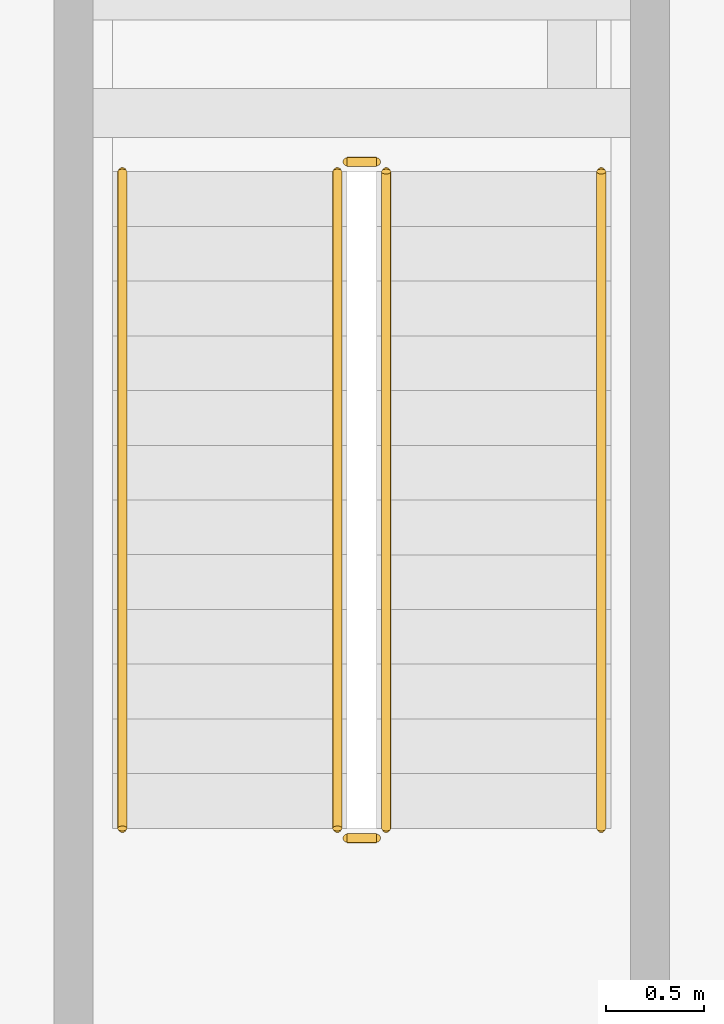
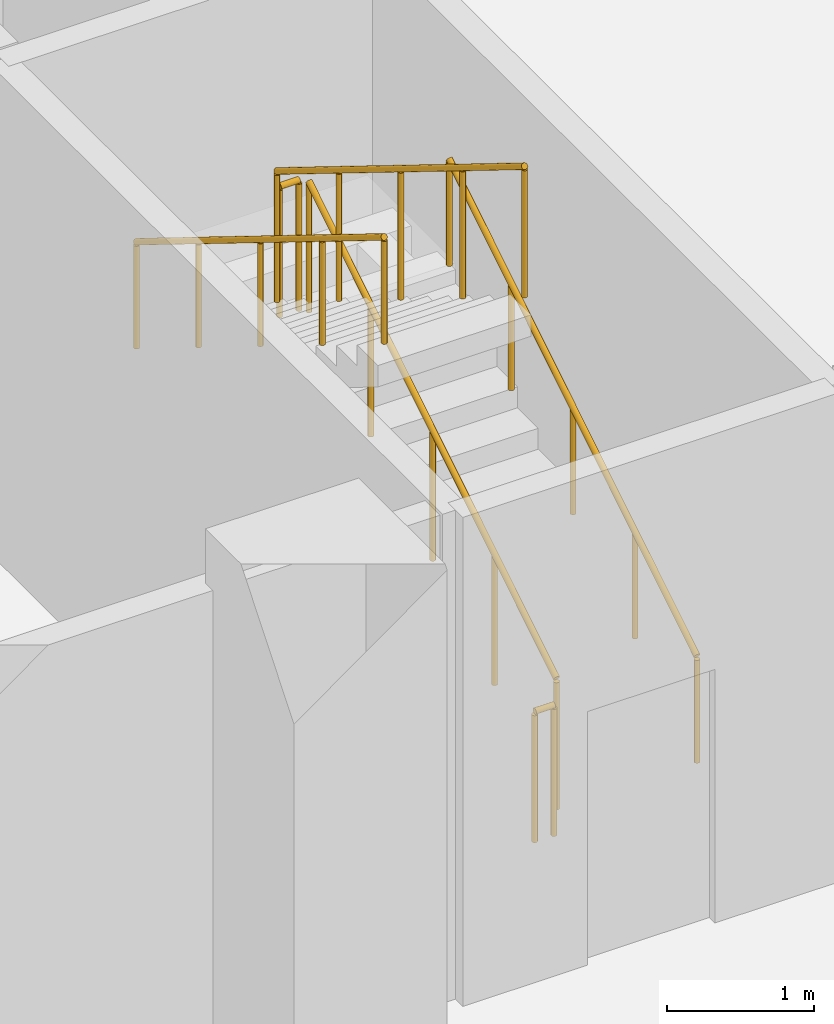
# One storey, part 32 of 34: 6 railings.
"""IFC4 building model written with IfcOpenShell, lengths in metres."""

from ifc_helpers import new_model, si_unit, direction, frame, origin, origin_2d, place, context, subcontext, project, spatial, circle, extrude, material, type_object, element, save


model = new_model("IFC4")

# Units and contexts
model_context = context("Model", 3, precision=1e-05, world=origin(), true_north=direction((0.0, 1.0)))
body_context = subcontext(model_context, "Body", "Model", "MODEL_VIEW")
ifc_project = project(units=[si_unit("LENGTHUNIT", "METRE"), si_unit("AREAUNIT", "SQUARE_METRE"), si_unit("VOLUMEUNIT", "CUBIC_METRE"), si_unit("PLANEANGLEUNIT", "RADIAN"), si_unit("MASSUNIT", "GRAM", prefix="KILO")], contexts=[model_context])

# Site, building, storey
site_placement = place(None, origin())
site = spatial("IfcSite", under=ifc_project, at=site_placement, CompositionType="ELEMENT")
building_placement = place(site_placement, origin())
building = spatial("IfcBuilding", under=site, at=building_placement, Name="Ogive Gate Towers", CompositionType="ELEMENT")
storey_placement = place(building_placement, frame((0.0, 0.0, -4.5)))
storey = spatial("IfcBuildingStorey", under=building, at=storey_placement, Name="B1", CompositionType="ELEMENT", Elevation=-4.5)

# Railings
ifc_material_1 = material(Name="Painted steel", Category="steel")
railing_type_1 = type_object("IfcRailingType", Name="Car park stair guard 1100", PredefinedType="GUARDRAIL", material=ifc_material_1)
railing_1_placement = place(storey_placement, frame((-42.10009765625, 64.89990234375, 0.173095703125)))
element("IfcRailing", 1, at=railing_1_placement, inside=storey, type_object=railing_type_1, Name="B1 CS2 stair guard 1", PredefinedType="GUARDRAIL", context=body_context, shape_type="SweptSolid", body=[
    extrude(circle(Radius=0.02392578125, at=origin_2d()), frame((0.0, 0.0, 1.076171875), z_axis=(0.0, 0.850623216509, 0.525775754039), x_axis=(-1.0, 0.0, 0.0)), (0.0, 0.0, 1.0), 3.9501953125),
    extrude(circle(Radius=0.02099609375, at=origin_2d()), origin(), (0.0, 0.0, 1.0), 1.052001953125),
    extrude(circle(Radius=0.02099609375, at=origin_2d()), frame((0.0, 0.840087890625, 0.519287109375)), (0.0, 0.0, 1.0), 1.052001953125),
    extrude(circle(Radius=0.02099609375, at=origin_2d()), frame((0.0, 1.68017578125, 1.03857421875)), (0.0, 0.0, 1.0), 1.052001953125),
    extrude(circle(Radius=0.02099609375, at=origin_2d()), frame((0.0, 2.52001953125, 1.5576171875)), (0.0, 0.0, 1.0), 1.052001953125),
    extrude(circle(Radius=0.02099609375, at=origin_2d()), frame((0.0, 3.360107421875, 2.076904296875)), (0.0, 0.0, 1.0), 1.052001953125),
])
railing_2_placement = place(storey_placement, frame((-42.14990234375, 68.31005859375, 2.25)))
element("IfcRailing", 2, at=railing_2_placement, inside=storey, type_object=railing_type_1, Name="B1 CS2 stair guard 2", PredefinedType="GUARDRAIL", context=body_context, shape_type="SweptSolid", body=[
    extrude(circle(Radius=0.02392578125, at=origin_2d()), frame((0.0, 0.0, 1.076171875), z_axis=(-1.0, 0.0, 0.0), x_axis=(0.0, -1.0, 0.0)), (0.0, 0.0, 1.0), 0.150146484375),
    extrude(circle(Radius=0.02099609375, at=origin_2d()), origin(), (0.0, 0.0, 1.0), 1.052001953125),
    extrude(circle(Radius=0.02099609375, at=origin_2d()), frame((-0.150146484375, 0.0, 0.0)), (0.0, 0.0, 1.0), 1.052001953125),
])
railing_3_placement = place(storey_placement, frame((-42.35009765625, 68.260009765625, 2.423095703125)))
element("IfcRailing", 3, at=railing_3_placement, inside=storey, type_object=railing_type_1, Name="B1 CS2 stair guard 3", PredefinedType="GUARDRAIL", context=body_context, shape_type="SweptSolid", body=[
    extrude(circle(Radius=0.02392578125, at=origin_2d()), frame((0.0, 0.0, 1.076171875), z_axis=(0.0, -0.850623216509, 0.525775754039), x_axis=(1.0, 0.0, 0.0)), (0.0, 0.0, 1.0), 3.9501953125),
    extrude(circle(Radius=0.02099609375, at=origin_2d()), origin(), (0.0, 0.0, 1.0), 1.052001953125),
    extrude(circle(Radius=0.02099609375, at=origin_2d()), frame((0.0, -0.840087890625, 0.519287109375)), (0.0, 0.0, 1.0), 1.052001953125),
    extrude(circle(Radius=0.02099609375, at=origin_2d()), frame((0.0, -1.68017578125, 1.03857421875)), (0.0, 0.0, 1.0), 1.052001953125),
    extrude(circle(Radius=0.02099609375, at=origin_2d()), frame((0.0, -2.52001953125, 1.5576171875)), (0.0, 0.0, 1.0), 1.052001953125),
    extrude(circle(Radius=0.02099609375, at=origin_2d()), frame((0.0, -3.360107421875, 2.076904296875)), (0.0, 0.0, 1.0), 1.052001953125),
])
railing_4_placement = place(storey_placement, frame((-42.14990234375, 64.85009765625, 0.0)))
element("IfcRailing", 4, at=railing_4_placement, inside=storey, type_object=railing_type_1, Name="B1 CS2 stair guard 4", PredefinedType="GUARDRAIL", context=body_context, shape_type="SweptSolid", body=[
    extrude(circle(Radius=0.02392578125, at=origin_2d()), frame((0.0, 0.0, 1.076171875), z_axis=(-1.0, 0.0, 0.0), x_axis=(0.0, -1.0, 0.0)), (0.0, 0.0, 1.0), 0.150146484375),
    extrude(circle(Radius=0.02099609375, at=origin_2d()), origin(), (0.0, 0.0, 1.0), 1.052001953125),
    extrude(circle(Radius=0.02099609375, at=origin_2d()), frame((-0.150146484375, 0.0, 0.0)), (0.0, 0.0, 1.0), 1.052001953125),
])
ifc_material_2 = material(Name="Stainless steel handrail", Category="steel")
railing_type_2 = type_object("IfcRailingType", Name="Car park stair handrail 900", PredefinedType="HANDRAIL", material=ifc_material_2)
railing_5_placement = place(storey_placement, frame((-41.0, 64.89990234375, 0.173095703125)))
element("IfcRailing", 5, at=railing_5_placement, inside=storey, type_object=railing_type_2, Name="B1 CS2 stair handrail 1", PredefinedType="HANDRAIL", context=body_context, shape_type="SweptSolid", body=[
    extrude(circle(Radius=0.02392578125, at=origin_2d()), frame((0.0, 0.0, 0.8759765625), z_axis=(0.0, 0.850623216509, 0.525775754039), x_axis=(-1.0, 0.0, 0.0)), (0.0, 0.0, 1.0), 3.9501953125),
    extrude(circle(Radius=0.02099609375, at=origin_2d()), origin(), (0.0, 0.0, 1.0), 0.851806640625),
    extrude(circle(Radius=0.02099609375, at=origin_2d()), frame((0.0, 0.840087890625, 0.519287109375)), (0.0, 0.0, 1.0), 0.851806640625),
    extrude(circle(Radius=0.02099609375, at=origin_2d()), frame((0.0, 1.68017578125, 1.03857421875)), (0.0, 0.0, 1.0), 0.851806640625),
    extrude(circle(Radius=0.02099609375, at=origin_2d()), frame((0.0, 2.52001953125, 1.5576171875)), (0.0, 0.0, 1.0), 0.851806640625),
    extrude(circle(Radius=0.02099609375, at=origin_2d()), frame((0.0, 3.360107421875, 2.076904296875)), (0.0, 0.0, 1.0), 0.851806640625),
])
railing_6_placement = place(storey_placement, frame((-43.449951171875, 68.260009765625, 2.423095703125)))
element("IfcRailing", 6, at=railing_6_placement, inside=storey, type_object=railing_type_2, Name="B1 CS2 stair handrail 2", PredefinedType="HANDRAIL", context=body_context, shape_type="SweptSolid", body=[
    extrude(circle(Radius=0.02392578125, at=origin_2d()), frame((0.0, 0.0, 0.8759765625), z_axis=(0.0, -0.850623216509, 0.525775754039), x_axis=(1.0, 0.0, 0.0)), (0.0, 0.0, 1.0), 3.9501953125),
    extrude(circle(Radius=0.02099609375, at=origin_2d()), origin(), (0.0, 0.0, 1.0), 0.851806640625),
    extrude(circle(Radius=0.02099609375, at=origin_2d()), frame((0.0, -0.840087890625, 0.519287109375)), (0.0, 0.0, 1.0), 0.851806640625),
    extrude(circle(Radius=0.02099609375, at=origin_2d()), frame((0.0, -1.68017578125, 1.03857421875)), (0.0, 0.0, 1.0), 0.851806640625),
    extrude(circle(Radius=0.02099609375, at=origin_2d()), frame((0.0, -2.52001953125, 1.5576171875)), (0.0, 0.0, 1.0), 0.851806640625),
    extrude(circle(Radius=0.02099609375, at=origin_2d()), frame((0.0, -3.360107421875, 2.076904296875)), (0.0, 0.0, 1.0), 0.851806640625),
])

save(model, "model.ifc")
